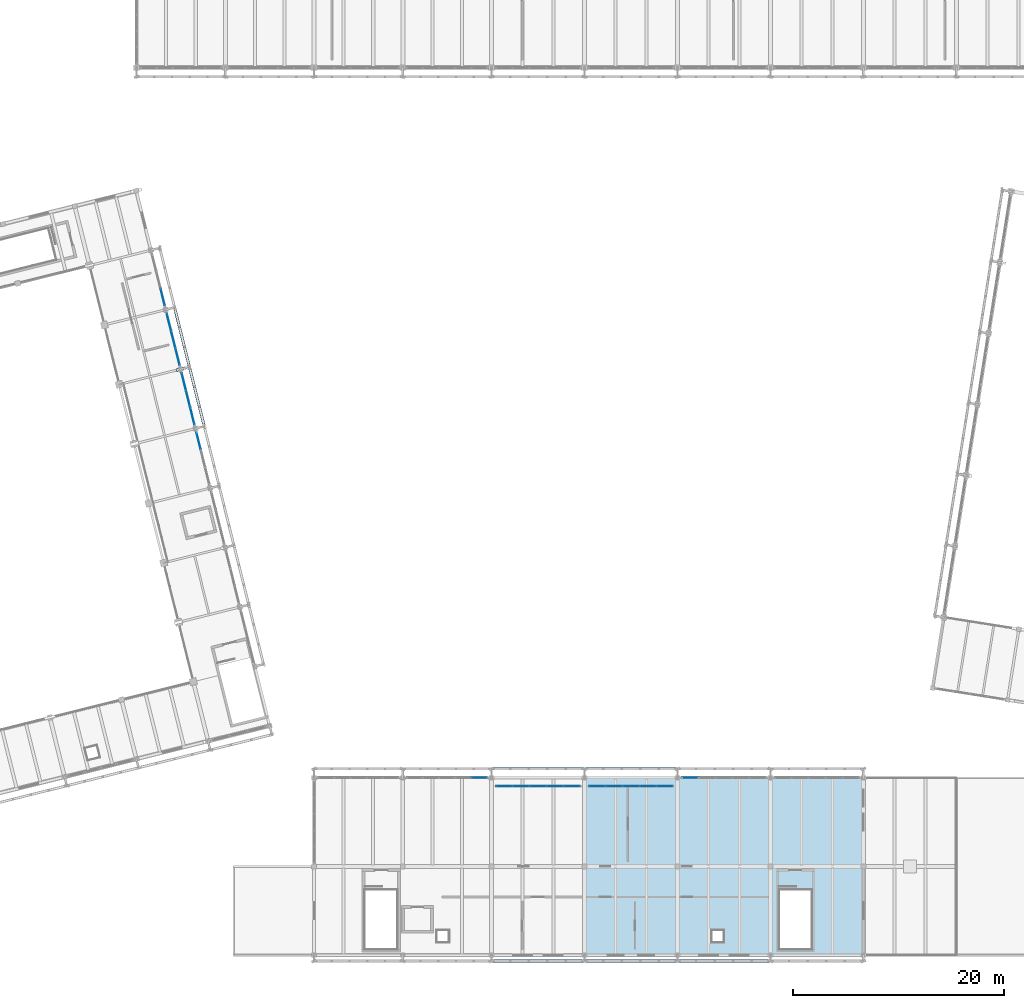
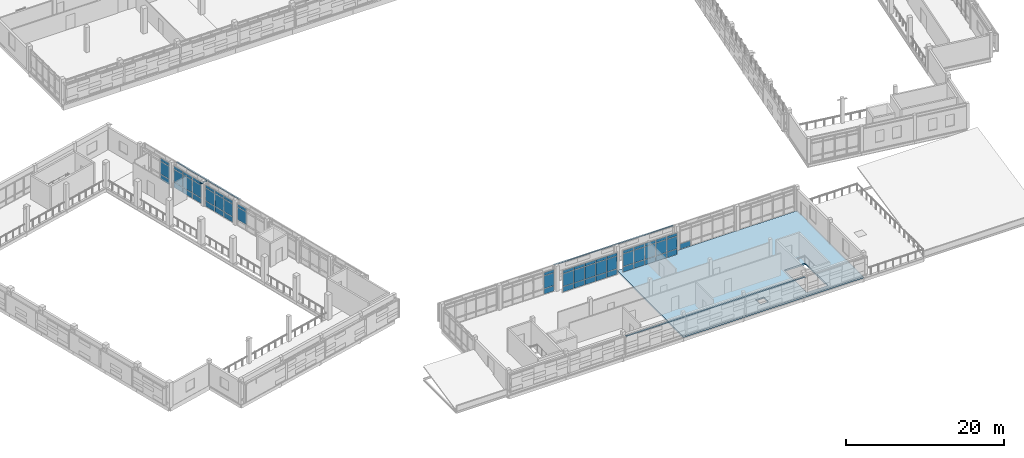
# One storey, part 84 of 117: 65 plates, 1 slab, 8 elements without a shape of their own.
"""IFC4 building model written with IfcOpenShell, lengths in metres."""

from ifc_helpers import new_model, si_unit, direction, frame, origin, origin_2d, place, context, subcontext, project, spatial, polyline, rectangle, outline, extrude, material, layer, layer_set, type_object, element, aggregate, save


model = new_model("IFC4")

# Units and contexts
model_context = context("Model", 3, precision=1e-05, world=origin(), true_north=direction((0.0, 1.0)))
body_context = subcontext(model_context, "Body", "Model", "MODEL_VIEW")
ifc_project = project(units=[si_unit("LENGTHUNIT", "METRE"), si_unit("AREAUNIT", "SQUARE_METRE"), si_unit("VOLUMEUNIT", "CUBIC_METRE"), si_unit("PLANEANGLEUNIT", "RADIAN"), si_unit("MASSUNIT", "GRAM", prefix="KILO")], contexts=[model_context])

# Site, building, storey
site_placement = place(None, origin())
site = spatial("IfcSite", under=ifc_project, at=site_placement, CompositionType="ELEMENT")
building_placement = place(site_placement, origin())
building = spatial("IfcBuilding", under=site, at=building_placement, Name="Cinderway Yard Community Centre", CompositionType="ELEMENT")
storey_placement = place(building_placement, frame((0.0, 0.0, 9.0)))
storey = spatial("IfcBuildingStorey", under=building, at=storey_placement, Name="L02", CompositionType="ELEMENT", Elevation=9.0)

# Curtain wall, plates
ifc_material_1 = material(Name="Aluminium 6063-T6", Category="aluminium")
curtain_wall_type_1 = type_object("IfcCurtainWallType", Name="ENV-CW-TYPE-29", PredefinedType="USERDEFINED", material=ifc_material_1)
curtain_wall_1_placement = place(storey_placement, origin())
curtain_wall_1 = element("IfcCurtainWall", 1, at=curtain_wall_1_placement, inside=storey, type_object=curtain_wall_type_1, Name="Dining Courtyard Curtain Wall ENV-CW-L02-ST-0102", ObjectType="GLAZED CURTAIN WALL", PredefinedType="USERDEFINED")
ifc_material_2 = material(Name="Laminated Low-E Glass", Category="glass")
ifc_layer_1 = layer(ifc_material_2, 0.028076171875, Name="Laminated Low-E Glass")
ifc_layer_set_1 = layer_set([ifc_layer_1], Name="Laminated Low-E Glass")
plate_type_1 = type_object("IfcPlateType", Name="ENV-CW-PAN-IGU28", PredefinedType="CURTAIN_PANEL", material=ifc_layer_set_1)
plate_1_placement = place(storey_placement, frame((74.041015625, 22.800048828125, 0.06005859375), z_axis=(0.0, 0.0, 1.0), x_axis=(1.0, 0.0, 0.0)))
plate_1 = element("IfcPlate", 2, at=plate_1_placement, type_object=plate_type_1, Name="CW-29 panel 5.1", PredefinedType="CURTAIN_PANEL", context=body_context, shape_type="SweptSolid", body=[
    extrude(rectangle(XDim=1.43798828125, YDim=0.028076171875, at=origin_2d()), origin(), (0.0, 0.0, 1.0), 0.81005859375),
])
plate_2_placement = place(storey_placement, frame((74.041015625, 22.800048828125, 0.929931640625), z_axis=(0.0, 0.0, 1.0), x_axis=(1.0, 0.0, 0.0)))
plate_2 = element("IfcPlate", 3, at=plate_2_placement, type_object=plate_type_1, Name="CW-29 panel 5.2", PredefinedType="CURTAIN_PANEL", context=body_context, shape_type="SweptSolid", body=[
    extrude(rectangle(XDim=1.43798828125, YDim=0.028076171875, at=origin_2d()), origin(), (0.0, 0.0, 1.0), 1.93994140625),
])
plate_3_placement = place(storey_placement, frame((74.041015625, 22.800048828125, 2.929931640625), z_axis=(0.0, 0.0, 1.0), x_axis=(1.0, 0.0, 0.0)))
plate_3 = element("IfcPlate", 4, at=plate_3_placement, type_object=plate_type_1, Name="CW-29 panel 5.3", PredefinedType="CURTAIN_PANEL", context=body_context, shape_type="SweptSolid", body=[
    extrude(rectangle(XDim=1.43798828125, YDim=0.028076171875, at=origin_2d()), origin(), (0.0, 0.0, 1.0), 0.4599609375),
])
aggregate(curtain_wall_1, [plate_1, plate_2, plate_3])

curtain_wall_type_2 = type_object("IfcCurtainWallType", Name="ENV-CW-TYPE-30", PredefinedType="USERDEFINED", material=ifc_material_1)
curtain_wall_2_placement = place(storey_placement, origin())
curtain_wall_2 = element("IfcCurtainWall", 5, at=curtain_wall_2_placement, inside=storey, type_object=curtain_wall_type_2, Name="Dining Courtyard Curtain Wall ENV-CW-L02-ST-0103", ObjectType="GLAZED CURTAIN WALL", PredefinedType="USERDEFINED")
plate_4_placement = place(storey_placement, frame((76.39892578125, 22.0, 0.06005859375), z_axis=(0.0, 0.0, 1.0), x_axis=(1.0, 0.0, 0.0)))
plate_4 = element("IfcPlate", 6, at=plate_4_placement, type_object=plate_type_1, Name="CW-30 panel 1.1", PredefinedType="CURTAIN_PANEL", context=body_context, shape_type="SweptSolid", body=[
    extrude(rectangle(XDim=1.51806640625, YDim=0.028076171875, at=origin_2d()), origin(), (0.0, 0.0, 1.0), 0.81005859375),
])
plate_5_placement = place(storey_placement, frame((76.39892578125, 22.0, 0.929931640625), z_axis=(0.0, 0.0, 1.0), x_axis=(1.0, 0.0, 0.0)))
plate_5 = element("IfcPlate", 7, at=plate_5_placement, type_object=plate_type_1, Name="CW-30 panel 1.2", PredefinedType="CURTAIN_PANEL", context=body_context, shape_type="SweptSolid", body=[
    extrude(rectangle(XDim=1.51806640625, YDim=0.028076171875, at=origin_2d()), origin(), (0.0, 0.0, 1.0), 1.93994140625),
])
plate_6_placement = place(storey_placement, frame((76.39892578125, 22.0, 2.929931640625), z_axis=(0.0, 0.0, 1.0), x_axis=(1.0, 0.0, 0.0)))
plate_6 = element("IfcPlate", 8, at=plate_6_placement, type_object=plate_type_1, Name="CW-30 panel 1.3", PredefinedType="CURTAIN_PANEL", context=body_context, shape_type="SweptSolid", body=[
    extrude(rectangle(XDim=1.51806640625, YDim=0.028076171875, at=origin_2d()), origin(), (0.0, 0.0, 1.0), 0.4599609375),
])
plate_7_placement = place(storey_placement, frame((77.991943359375, 22.0, 0.06005859375), z_axis=(0.0, 0.0, 1.0), x_axis=(1.0, 0.0, 0.0)))
plate_7 = element("IfcPlate", 9, at=plate_7_placement, type_object=plate_type_1, Name="CW-30 panel 2.1", PredefinedType="CURTAIN_PANEL", context=body_context, shape_type="SweptSolid", body=[
    extrude(rectangle(XDim=1.548095703125, YDim=0.028076171875, at=origin_2d()), origin(), (0.0, 0.0, 1.0), 0.81005859375),
])
plate_8_placement = place(storey_placement, frame((77.991943359375, 22.0, 0.929931640625), z_axis=(0.0, 0.0, 1.0), x_axis=(1.0, 0.0, 0.0)))
plate_8 = element("IfcPlate", 10, at=plate_8_placement, type_object=plate_type_1, Name="CW-30 panel 2.2", PredefinedType="CURTAIN_PANEL", context=body_context, shape_type="SweptSolid", body=[
    extrude(rectangle(XDim=1.548095703125, YDim=0.028076171875, at=origin_2d()), origin(), (0.0, 0.0, 1.0), 1.93994140625),
])
plate_9_placement = place(storey_placement, frame((77.991943359375, 22.0, 2.929931640625), z_axis=(0.0, 0.0, 1.0), x_axis=(1.0, 0.0, 0.0)))
plate_9 = element("IfcPlate", 11, at=plate_9_placement, type_object=plate_type_1, Name="CW-30 panel 2.3", PredefinedType="CURTAIN_PANEL", context=body_context, shape_type="SweptSolid", body=[
    extrude(rectangle(XDim=1.548095703125, YDim=0.028076171875, at=origin_2d()), origin(), (0.0, 0.0, 1.0), 0.4599609375),
])
plate_10_placement = place(storey_placement, frame((79.60009765625, 22.0, 0.06005859375), z_axis=(0.0, 0.0, 1.0), x_axis=(1.0, 0.0, 0.0)))
plate_10 = element("IfcPlate", 12, at=plate_10_placement, type_object=plate_type_1, Name="CW-30 panel 3.1", PredefinedType="CURTAIN_PANEL", context=body_context, shape_type="SweptSolid", body=[
    extrude(rectangle(XDim=1.548095703125, YDim=0.028076171875, at=origin_2d()), origin(), (0.0, 0.0, 1.0), 0.81005859375),
])
plate_11_placement = place(storey_placement, frame((79.60009765625, 22.0, 0.929931640625), z_axis=(0.0, 0.0, 1.0), x_axis=(1.0, 0.0, 0.0)))
plate_11 = element("IfcPlate", 13, at=plate_11_placement, type_object=plate_type_1, Name="CW-30 panel 3.2", PredefinedType="CURTAIN_PANEL", context=body_context, shape_type="SweptSolid", body=[
    extrude(rectangle(XDim=1.548095703125, YDim=0.028076171875, at=origin_2d()), origin(), (0.0, 0.0, 1.0), 1.93994140625),
])
plate_12_placement = place(storey_placement, frame((79.60009765625, 22.0, 2.929931640625), z_axis=(0.0, 0.0, 1.0), x_axis=(1.0, 0.0, 0.0)))
plate_12 = element("IfcPlate", 14, at=plate_12_placement, type_object=plate_type_1, Name="CW-30 panel 3.3", PredefinedType="CURTAIN_PANEL", context=body_context, shape_type="SweptSolid", body=[
    extrude(rectangle(XDim=1.548095703125, YDim=0.028076171875, at=origin_2d()), origin(), (0.0, 0.0, 1.0), 0.4599609375),
])
plate_13_placement = place(storey_placement, frame((81.2080078125, 22.0, 0.06005859375), z_axis=(0.0, 0.0, 1.0), x_axis=(1.0, 0.0, 0.0)))
plate_13 = element("IfcPlate", 15, at=plate_13_placement, type_object=plate_type_1, Name="CW-30 panel 4.1", PredefinedType="CURTAIN_PANEL", context=body_context, shape_type="SweptSolid", body=[
    extrude(rectangle(XDim=1.548095703125, YDim=0.028076171875, at=origin_2d()), origin(), (0.0, 0.0, 1.0), 0.81005859375),
])
plate_14_placement = place(storey_placement, frame((81.2080078125, 22.0, 0.929931640625), z_axis=(0.0, 0.0, 1.0), x_axis=(1.0, 0.0, 0.0)))
plate_14 = element("IfcPlate", 16, at=plate_14_placement, type_object=plate_type_1, Name="CW-30 panel 4.2", PredefinedType="CURTAIN_PANEL", context=body_context, shape_type="SweptSolid", body=[
    extrude(rectangle(XDim=1.548095703125, YDim=0.028076171875, at=origin_2d()), origin(), (0.0, 0.0, 1.0), 1.93994140625),
])
plate_15_placement = place(storey_placement, frame((81.2080078125, 22.0, 2.929931640625), z_axis=(0.0, 0.0, 1.0), x_axis=(1.0, 0.0, 0.0)))
plate_15 = element("IfcPlate", 17, at=plate_15_placement, type_object=plate_type_1, Name="CW-30 panel 4.3", PredefinedType="CURTAIN_PANEL", context=body_context, shape_type="SweptSolid", body=[
    extrude(rectangle(XDim=1.548095703125, YDim=0.028076171875, at=origin_2d()), origin(), (0.0, 0.0, 1.0), 0.4599609375),
])
plate_16_placement = place(storey_placement, frame((82.801025390625, 22.0, 0.06005859375), z_axis=(0.0, 0.0, 1.0), x_axis=(1.0, 0.0, 0.0)))
plate_16 = element("IfcPlate", 18, at=plate_16_placement, type_object=plate_type_1, Name="CW-30 panel 5.1", PredefinedType="CURTAIN_PANEL", context=body_context, shape_type="SweptSolid", body=[
    extrude(rectangle(XDim=1.51806640625, YDim=0.028076171875, at=origin_2d()), origin(), (0.0, 0.0, 1.0), 0.81005859375),
])
plate_17_placement = place(storey_placement, frame((82.801025390625, 22.0, 0.929931640625), z_axis=(0.0, 0.0, 1.0), x_axis=(1.0, 0.0, 0.0)))
plate_17 = element("IfcPlate", 19, at=plate_17_placement, type_object=plate_type_1, Name="CW-30 panel 5.2", PredefinedType="CURTAIN_PANEL", context=body_context, shape_type="SweptSolid", body=[
    extrude(rectangle(XDim=1.51806640625, YDim=0.028076171875, at=origin_2d()), origin(), (0.0, 0.0, 1.0), 1.93994140625),
])
plate_18_placement = place(storey_placement, frame((82.801025390625, 22.0, 2.929931640625), z_axis=(0.0, 0.0, 1.0), x_axis=(1.0, 0.0, 0.0)))
plate_18 = element("IfcPlate", 20, at=plate_18_placement, type_object=plate_type_1, Name="CW-30 panel 5.3", PredefinedType="CURTAIN_PANEL", context=body_context, shape_type="SweptSolid", body=[
    extrude(rectangle(XDim=1.51806640625, YDim=0.028076171875, at=origin_2d()), origin(), (0.0, 0.0, 1.0), 0.4599609375),
])
aggregate(curtain_wall_2, [plate_4, plate_5, plate_6, plate_7, plate_8, plate_9, plate_10, plate_11, plate_12, plate_13, plate_14, plate_15, plate_16, plate_17, plate_18])

curtain_wall_3_placement = place(storey_placement, origin())
curtain_wall_3 = element("IfcCurtainWall", 21, at=curtain_wall_3_placement, inside=storey, type_object=curtain_wall_type_2, Name="Dining Courtyard Curtain Wall ENV-CW-L02-ST-0104", ObjectType="GLAZED CURTAIN WALL", PredefinedType="USERDEFINED")
plate_19_placement = place(storey_placement, frame((85.198974609375, 22.0, 0.06005859375), z_axis=(0.0, 0.0, 1.0), x_axis=(1.0, 0.0, 0.0)))
plate_19 = element("IfcPlate", 22, at=plate_19_placement, type_object=plate_type_1, Name="CW-30 panel 1.1", PredefinedType="CURTAIN_PANEL", context=body_context, shape_type="SweptSolid", body=[
    extrude(rectangle(XDim=1.51806640625, YDim=0.028076171875, at=origin_2d()), origin(), (0.0, 0.0, 1.0), 0.81005859375),
])
plate_20_placement = place(storey_placement, frame((85.198974609375, 22.0, 0.929931640625), z_axis=(0.0, 0.0, 1.0), x_axis=(1.0, 0.0, 0.0)))
plate_20 = element("IfcPlate", 23, at=plate_20_placement, type_object=plate_type_1, Name="CW-30 panel 1.2", PredefinedType="CURTAIN_PANEL", context=body_context, shape_type="SweptSolid", body=[
    extrude(rectangle(XDim=1.51806640625, YDim=0.028076171875, at=origin_2d()), origin(), (0.0, 0.0, 1.0), 1.93994140625),
])
plate_21_placement = place(storey_placement, frame((85.198974609375, 22.0, 2.929931640625), z_axis=(0.0, 0.0, 1.0), x_axis=(1.0, 0.0, 0.0)))
plate_21 = element("IfcPlate", 24, at=plate_21_placement, type_object=plate_type_1, Name="CW-30 panel 1.3", PredefinedType="CURTAIN_PANEL", context=body_context, shape_type="SweptSolid", body=[
    extrude(rectangle(XDim=1.51806640625, YDim=0.028076171875, at=origin_2d()), origin(), (0.0, 0.0, 1.0), 0.4599609375),
])
plate_22_placement = place(storey_placement, frame((86.7919921875, 22.0, 0.06005859375), z_axis=(0.0, 0.0, 1.0), x_axis=(1.0, 0.0, 0.0)))
plate_22 = element("IfcPlate", 25, at=plate_22_placement, type_object=plate_type_1, Name="CW-30 panel 2.1", PredefinedType="CURTAIN_PANEL", context=body_context, shape_type="SweptSolid", body=[
    extrude(rectangle(XDim=1.548095703125, YDim=0.028076171875, at=origin_2d()), origin(), (0.0, 0.0, 1.0), 0.81005859375),
])
plate_23_placement = place(storey_placement, frame((86.7919921875, 22.0, 0.929931640625), z_axis=(0.0, 0.0, 1.0), x_axis=(1.0, 0.0, 0.0)))
plate_23 = element("IfcPlate", 26, at=plate_23_placement, type_object=plate_type_1, Name="CW-30 panel 2.2", PredefinedType="CURTAIN_PANEL", context=body_context, shape_type="SweptSolid", body=[
    extrude(rectangle(XDim=1.548095703125, YDim=0.028076171875, at=origin_2d()), origin(), (0.0, 0.0, 1.0), 1.93994140625),
])
plate_24_placement = place(storey_placement, frame((86.7919921875, 22.0, 2.929931640625), z_axis=(0.0, 0.0, 1.0), x_axis=(1.0, 0.0, 0.0)))
plate_24 = element("IfcPlate", 27, at=plate_24_placement, type_object=plate_type_1, Name="CW-30 panel 2.3", PredefinedType="CURTAIN_PANEL", context=body_context, shape_type="SweptSolid", body=[
    extrude(rectangle(XDim=1.548095703125, YDim=0.028076171875, at=origin_2d()), origin(), (0.0, 0.0, 1.0), 0.4599609375),
])
plate_25_placement = place(storey_placement, frame((88.39990234375, 22.0, 0.06005859375), z_axis=(0.0, 0.0, 1.0), x_axis=(1.0, 0.0, 0.0)))
plate_25 = element("IfcPlate", 28, at=plate_25_placement, type_object=plate_type_1, Name="CW-30 panel 3.1", PredefinedType="CURTAIN_PANEL", context=body_context, shape_type="SweptSolid", body=[
    extrude(rectangle(XDim=1.548095703125, YDim=0.028076171875, at=origin_2d()), origin(), (0.0, 0.0, 1.0), 0.81005859375),
])
plate_26_placement = place(storey_placement, frame((88.39990234375, 22.0, 0.929931640625), z_axis=(0.0, 0.0, 1.0), x_axis=(1.0, 0.0, 0.0)))
plate_26 = element("IfcPlate", 29, at=plate_26_placement, type_object=plate_type_1, Name="CW-30 panel 3.2", PredefinedType="CURTAIN_PANEL", context=body_context, shape_type="SweptSolid", body=[
    extrude(rectangle(XDim=1.548095703125, YDim=0.028076171875, at=origin_2d()), origin(), (0.0, 0.0, 1.0), 1.93994140625),
])
plate_27_placement = place(storey_placement, frame((88.39990234375, 22.0, 2.929931640625), z_axis=(0.0, 0.0, 1.0), x_axis=(1.0, 0.0, 0.0)))
plate_27 = element("IfcPlate", 30, at=plate_27_placement, type_object=plate_type_1, Name="CW-30 panel 3.3", PredefinedType="CURTAIN_PANEL", context=body_context, shape_type="SweptSolid", body=[
    extrude(rectangle(XDim=1.548095703125, YDim=0.028076171875, at=origin_2d()), origin(), (0.0, 0.0, 1.0), 0.4599609375),
])
plate_28_placement = place(storey_placement, frame((90.008056640625, 22.0, 0.06005859375), z_axis=(0.0, 0.0, 1.0), x_axis=(1.0, 0.0, 0.0)))
plate_28 = element("IfcPlate", 31, at=plate_28_placement, type_object=plate_type_1, Name="CW-30 panel 4.1", PredefinedType="CURTAIN_PANEL", context=body_context, shape_type="SweptSolid", body=[
    extrude(rectangle(XDim=1.548095703125, YDim=0.028076171875, at=origin_2d()), origin(), (0.0, 0.0, 1.0), 0.81005859375),
])
plate_29_placement = place(storey_placement, frame((90.008056640625, 22.0, 0.929931640625), z_axis=(0.0, 0.0, 1.0), x_axis=(1.0, 0.0, 0.0)))
plate_29 = element("IfcPlate", 32, at=plate_29_placement, type_object=plate_type_1, Name="CW-30 panel 4.2", PredefinedType="CURTAIN_PANEL", context=body_context, shape_type="SweptSolid", body=[
    extrude(rectangle(XDim=1.548095703125, YDim=0.028076171875, at=origin_2d()), origin(), (0.0, 0.0, 1.0), 1.93994140625),
])
plate_30_placement = place(storey_placement, frame((90.008056640625, 22.0, 2.929931640625), z_axis=(0.0, 0.0, 1.0), x_axis=(1.0, 0.0, 0.0)))
plate_30 = element("IfcPlate", 33, at=plate_30_placement, type_object=plate_type_1, Name="CW-30 panel 4.3", PredefinedType="CURTAIN_PANEL", context=body_context, shape_type="SweptSolid", body=[
    extrude(rectangle(XDim=1.548095703125, YDim=0.028076171875, at=origin_2d()), origin(), (0.0, 0.0, 1.0), 0.4599609375),
])
plate_31_placement = place(storey_placement, frame((91.60107421875, 22.0, 0.06005859375), z_axis=(0.0, 0.0, 1.0), x_axis=(1.0, 0.0, 0.0)))
plate_31 = element("IfcPlate", 34, at=plate_31_placement, type_object=plate_type_1, Name="CW-30 panel 5.1", PredefinedType="CURTAIN_PANEL", context=body_context, shape_type="SweptSolid", body=[
    extrude(rectangle(XDim=1.51806640625, YDim=0.028076171875, at=origin_2d()), origin(), (0.0, 0.0, 1.0), 0.81005859375),
])
plate_32_placement = place(storey_placement, frame((91.60107421875, 22.0, 0.929931640625), z_axis=(0.0, 0.0, 1.0), x_axis=(1.0, 0.0, 0.0)))
plate_32 = element("IfcPlate", 35, at=plate_32_placement, type_object=plate_type_1, Name="CW-30 panel 5.2", PredefinedType="CURTAIN_PANEL", context=body_context, shape_type="SweptSolid", body=[
    extrude(rectangle(XDim=1.51806640625, YDim=0.028076171875, at=origin_2d()), origin(), (0.0, 0.0, 1.0), 1.93994140625),
])
plate_33_placement = place(storey_placement, frame((91.60107421875, 22.0, 2.929931640625), z_axis=(0.0, 0.0, 1.0), x_axis=(1.0, 0.0, 0.0)))
plate_33 = element("IfcPlate", 36, at=plate_33_placement, type_object=plate_type_1, Name="CW-30 panel 5.3", PredefinedType="CURTAIN_PANEL", context=body_context, shape_type="SweptSolid", body=[
    extrude(rectangle(XDim=1.51806640625, YDim=0.028076171875, at=origin_2d()), origin(), (0.0, 0.0, 1.0), 0.4599609375),
])
aggregate(curtain_wall_3, [plate_19, plate_20, plate_21, plate_22, plate_23, plate_24, plate_25, plate_26, plate_27, plate_28, plate_29, plate_30, plate_31, plate_32, plate_33])

# Curtain wall, plate
curtain_wall_4_placement = place(storey_placement, origin())
curtain_wall_4 = element("IfcCurtainWall", 37, at=curtain_wall_4_placement, inside=storey, type_object=curtain_wall_type_2, Name="Dining Courtyard Curtain Wall ENV-CW-L02-ST-0105", ObjectType="GLAZED CURTAIN WALL", PredefinedType="USERDEFINED")
plate_34_placement = place(storey_placement, frame((93.9990234375, 22.800048828125, 0.06005859375), z_axis=(0.0, 0.0, 1.0), x_axis=(1.0, 0.0, 0.0)))
plate_34 = element("IfcPlate", 38, at=plate_34_placement, type_object=plate_type_1, Name="CW-30 panel 1.1", PredefinedType="CURTAIN_PANEL", context=body_context, shape_type="SweptSolid", body=[
    extrude(rectangle(XDim=1.51806640625, YDim=0.028076171875, at=origin_2d()), origin(), (0.0, 0.0, 1.0), 0.81005859375),
])
aggregate(curtain_wall_4, [plate_34])

# Curtain wall, plates
curtain_wall_type_3 = type_object("IfcCurtainWallType", Name="ENV-CW-TYPE-07", PredefinedType="USERDEFINED", material=ifc_material_1)
curtain_wall_5_placement = place(storey_placement, origin())
curtain_wall_5 = element("IfcCurtainWall", 39, at=curtain_wall_5_placement, inside=storey, type_object=curtain_wall_type_3, Name="Main Hall Courtyard Curtain Wall ENV-CW-L02-HS-0023", ObjectType="GLAZED CURTAIN WALL", PredefinedType="USERDEFINED")
ifc_layer_2 = layer(ifc_material_2, 0.031982421875, Name="Laminated Low-E Glass")
ifc_layer_set_2 = layer_set([ifc_layer_2], Name="Laminated Low-E Glass")
plate_type_2 = type_object("IfcPlateType", Name="ENV-CW-PAN-IGU32", PredefinedType="CURTAIN_PANEL", material=ifc_layer_set_2)
plate_35_placement = place(storey_placement, frame((47.482421875, 54.667724609375, 0.929931640625), z_axis=(0.0, 0.0, 1.0), x_axis=(-0.241887234827, 0.97030436752, 0.0)))
plate_35 = element("IfcPlate", 40, at=plate_35_placement, type_object=plate_type_2, Name="CW-07 panel 3.2", PredefinedType="CURTAIN_PANEL", context=body_context, shape_type="SweptSolid", body=[
    extrude(rectangle(XDim=1.603515625, YDim=0.028076171875, at=origin_2d()), origin(), (0.0, 0.0, 1.0), 1.93994140625),
])
plate_36_placement = place(storey_placement, frame((47.482421875, 54.667724609375, 2.929931640625), z_axis=(0.0, 0.0, 1.0), x_axis=(-0.241887234827, 0.97030436752, 0.0)))
plate_36 = element("IfcPlate", 41, at=plate_36_placement, type_object=plate_type_2, Name="CW-07 panel 3.3", PredefinedType="CURTAIN_PANEL", context=body_context, shape_type="SweptSolid", body=[
    extrude(rectangle(XDim=1.603515625, YDim=0.028076171875, at=origin_2d()), origin(), (0.0, 0.0, 1.0), 0.4599609375),
])
aggregate(curtain_wall_5, [plate_35, plate_36])

curtain_wall_6_placement = place(storey_placement, origin())
curtain_wall_6 = element("IfcCurtainWall", 42, at=curtain_wall_6_placement, inside=storey, type_object=curtain_wall_type_3, Name="Main Hall Courtyard Curtain Wall ENV-CW-L02-HS-0024", ObjectType="GLAZED CURTAIN WALL", PredefinedType="USERDEFINED")
plate_37_placement = place(storey_placement, frame((46.8916015625, 57.038330078125, 0.06005859375), z_axis=(0.0, 0.0, 1.0), x_axis=(-0.241887234827, 0.97030436752, 0.0)))
plate_37 = element("IfcPlate", 43, at=plate_37_placement, type_object=plate_type_2, Name="CW-07 panel 1.1", PredefinedType="CURTAIN_PANEL", context=body_context, shape_type="SweptSolid", body=[
    extrude(rectangle(XDim=1.603515625, YDim=0.028076171875, at=origin_2d()), origin(), (0.0, 0.0, 1.0), 0.81005859375),
])
plate_38_placement = place(storey_placement, frame((46.8916015625, 57.038330078125, 0.929931640625), z_axis=(0.0, 0.0, 1.0), x_axis=(-0.241887234827, 0.97030436752, 0.0)))
plate_38 = element("IfcPlate", 44, at=plate_38_placement, type_object=plate_type_2, Name="CW-07 panel 1.2", PredefinedType="CURTAIN_PANEL", context=body_context, shape_type="SweptSolid", body=[
    extrude(rectangle(XDim=1.603515625, YDim=0.028076171875, at=origin_2d()), origin(), (0.0, 0.0, 1.0), 1.93994140625),
])
plate_39_placement = place(storey_placement, frame((46.8916015625, 57.038330078125, 2.929931640625), z_axis=(0.0, 0.0, 1.0), x_axis=(-0.241887234827, 0.97030436752, 0.0)))
plate_39 = element("IfcPlate", 45, at=plate_39_placement, type_object=plate_type_2, Name="CW-07 panel 1.3", PredefinedType="CURTAIN_PANEL", context=body_context, shape_type="SweptSolid", body=[
    extrude(rectangle(XDim=1.603515625, YDim=0.028076171875, at=origin_2d()), origin(), (0.0, 0.0, 1.0), 0.4599609375),
])
plate_40_placement = place(storey_placement, frame((46.485595703125, 58.6669921875, 0.06005859375), z_axis=(0.0, 0.0, 1.0), x_axis=(-0.241887234827, 0.97030436752, 0.0)))
plate_40 = element("IfcPlate", 46, at=plate_40_placement, type_object=plate_type_2, Name="CW-07 panel 2.1", PredefinedType="CURTAIN_PANEL", context=body_context, shape_type="SweptSolid", body=[
    extrude(rectangle(XDim=1.633544921875, YDim=0.028076171875, at=origin_2d()), origin(), (0.0, 0.0, 1.0), 0.81005859375),
])
plate_41_placement = place(storey_placement, frame((46.485595703125, 58.6669921875, 0.929931640625), z_axis=(0.0, 0.0, 1.0), x_axis=(-0.241887234827, 0.97030436752, 0.0)))
plate_41 = element("IfcPlate", 47, at=plate_41_placement, type_object=plate_type_2, Name="CW-07 panel 2.2", PredefinedType="CURTAIN_PANEL", context=body_context, shape_type="SweptSolid", body=[
    extrude(rectangle(XDim=1.633544921875, YDim=0.028076171875, at=origin_2d()), origin(), (0.0, 0.0, 1.0), 1.93994140625),
])
plate_42_placement = place(storey_placement, frame((46.485595703125, 58.6669921875, 2.929931640625), z_axis=(0.0, 0.0, 1.0), x_axis=(-0.241887234827, 0.97030436752, 0.0)))
plate_42 = element("IfcPlate", 48, at=plate_42_placement, type_object=plate_type_2, Name="CW-07 panel 2.3", PredefinedType="CURTAIN_PANEL", context=body_context, shape_type="SweptSolid", body=[
    extrude(rectangle(XDim=1.633544921875, YDim=0.028076171875, at=origin_2d()), origin(), (0.0, 0.0, 1.0), 0.4599609375),
])
plate_43_placement = place(storey_placement, frame((46.079345703125, 60.2958984375, 0.06005859375), z_axis=(0.0, 0.0, 1.0), x_axis=(-0.241887234827, 0.97030436752, 0.0)))
plate_43 = element("IfcPlate", 49, at=plate_43_placement, type_object=plate_type_2, Name="CW-07 panel 3.1", PredefinedType="CURTAIN_PANEL", context=body_context, shape_type="SweptSolid", body=[
    extrude(rectangle(XDim=1.603515625, YDim=0.028076171875, at=origin_2d()), origin(), (0.0, 0.0, 1.0), 0.81005859375),
])
plate_44_placement = place(storey_placement, frame((46.079345703125, 60.2958984375, 0.929931640625), z_axis=(0.0, 0.0, 1.0), x_axis=(-0.241887234827, 0.97030436752, 0.0)))
plate_44 = element("IfcPlate", 50, at=plate_44_placement, type_object=plate_type_2, Name="CW-07 panel 3.2", PredefinedType="CURTAIN_PANEL", context=body_context, shape_type="SweptSolid", body=[
    extrude(rectangle(XDim=1.603515625, YDim=0.028076171875, at=origin_2d()), origin(), (0.0, 0.0, 1.0), 1.93994140625),
])
plate_45_placement = place(storey_placement, frame((46.079345703125, 60.2958984375, 2.929931640625), z_axis=(0.0, 0.0, 1.0), x_axis=(-0.241887234827, 0.97030436752, 0.0)))
plate_45 = element("IfcPlate", 51, at=plate_45_placement, type_object=plate_type_2, Name="CW-07 panel 3.3", PredefinedType="CURTAIN_PANEL", context=body_context, shape_type="SweptSolid", body=[
    extrude(rectangle(XDim=1.603515625, YDim=0.028076171875, at=origin_2d()), origin(), (0.0, 0.0, 1.0), 0.4599609375),
])
aggregate(curtain_wall_6, [plate_37, plate_38, plate_39, plate_40, plate_41, plate_42, plate_43, plate_44, plate_45])

curtain_wall_7_placement = place(storey_placement, origin())
curtain_wall_7 = element("IfcCurtainWall", 52, at=curtain_wall_7_placement, inside=storey, type_object=curtain_wall_type_3, Name="Main Hall Courtyard Curtain Wall ENV-CW-L02-HS-0025", ObjectType="GLAZED CURTAIN WALL", PredefinedType="USERDEFINED")
plate_46_placement = place(storey_placement, frame((45.488525390625, 62.666015625, 0.06005859375), z_axis=(0.0, 0.0, 1.0), x_axis=(-0.241933436991, 0.970292848611, 0.0)))
plate_46 = element("IfcPlate", 53, at=plate_46_placement, type_object=plate_type_2, Name="CW-07 panel 1.1", PredefinedType="CURTAIN_PANEL", context=body_context, shape_type="SweptSolid", body=[
    extrude(rectangle(XDim=1.603271484375, YDim=0.028076171875, at=origin_2d()), origin(), (0.0, 0.0, 1.0), 0.81005859375),
])
plate_47_placement = place(storey_placement, frame((45.488525390625, 62.666015625, 0.929931640625), z_axis=(0.0, 0.0, 1.0), x_axis=(-0.241933436991, 0.970292848611, 0.0)))
plate_47 = element("IfcPlate", 54, at=plate_47_placement, type_object=plate_type_2, Name="CW-07 panel 1.2", PredefinedType="CURTAIN_PANEL", context=body_context, shape_type="SweptSolid", body=[
    extrude(rectangle(XDim=1.603271484375, YDim=0.028076171875, at=origin_2d()), origin(), (0.0, 0.0, 1.0), 1.93994140625),
])
plate_48_placement = place(storey_placement, frame((45.488525390625, 62.666015625, 2.929931640625), z_axis=(0.0, 0.0, 1.0), x_axis=(-0.241933436991, 0.970292848611, 0.0)))
plate_48 = element("IfcPlate", 55, at=plate_48_placement, type_object=plate_type_2, Name="CW-07 panel 1.3", PredefinedType="CURTAIN_PANEL", context=body_context, shape_type="SweptSolid", body=[
    extrude(rectangle(XDim=1.603271484375, YDim=0.028076171875, at=origin_2d()), origin(), (0.0, 0.0, 1.0), 0.4599609375),
])
plate_49_placement = place(storey_placement, frame((45.08251953125, 64.29443359375, 0.06005859375), z_axis=(0.0, 0.0, 1.0), x_axis=(-0.241933436991, 0.970292848611, 0.0)))
plate_49 = element("IfcPlate", 56, at=plate_49_placement, type_object=plate_type_2, Name="CW-07 panel 2.1", PredefinedType="CURTAIN_PANEL", context=body_context, shape_type="SweptSolid", body=[
    extrude(rectangle(XDim=1.63330078125, YDim=0.028076171875, at=origin_2d()), origin(), (0.0, 0.0, 1.0), 0.81005859375),
])
plate_50_placement = place(storey_placement, frame((45.08251953125, 64.29443359375, 0.929931640625), z_axis=(0.0, 0.0, 1.0), x_axis=(-0.241933436991, 0.970292848611, 0.0)))
plate_50 = element("IfcPlate", 57, at=plate_50_placement, type_object=plate_type_2, Name="CW-07 panel 2.2", PredefinedType="CURTAIN_PANEL", context=body_context, shape_type="SweptSolid", body=[
    extrude(rectangle(XDim=1.63330078125, YDim=0.028076171875, at=origin_2d()), origin(), (0.0, 0.0, 1.0), 1.93994140625),
])
plate_51_placement = place(storey_placement, frame((45.08251953125, 64.29443359375, 2.929931640625), z_axis=(0.0, 0.0, 1.0), x_axis=(-0.241933436991, 0.970292848611, 0.0)))
plate_51 = element("IfcPlate", 58, at=plate_51_placement, type_object=plate_type_2, Name="CW-07 panel 2.3", PredefinedType="CURTAIN_PANEL", context=body_context, shape_type="SweptSolid", body=[
    extrude(rectangle(XDim=1.63330078125, YDim=0.028076171875, at=origin_2d()), origin(), (0.0, 0.0, 1.0), 0.4599609375),
])
plate_52_placement = place(storey_placement, frame((44.676513671875, 65.9228515625, 0.06005859375), z_axis=(0.0, 0.0, 1.0), x_axis=(-0.241933436991, 0.970292848611, 0.0)))
plate_52 = element("IfcPlate", 59, at=plate_52_placement, type_object=plate_type_2, Name="CW-07 panel 3.1", PredefinedType="CURTAIN_PANEL", context=body_context, shape_type="SweptSolid", body=[
    extrude(rectangle(XDim=1.603271484375, YDim=0.028076171875, at=origin_2d()), origin(), (0.0, 0.0, 1.0), 0.81005859375),
])
plate_53_placement = place(storey_placement, frame((44.676513671875, 65.9228515625, 0.929931640625), z_axis=(0.0, 0.0, 1.0), x_axis=(-0.241933436991, 0.970292848611, 0.0)))
plate_53 = element("IfcPlate", 60, at=plate_53_placement, type_object=plate_type_2, Name="CW-07 panel 3.2", PredefinedType="CURTAIN_PANEL", context=body_context, shape_type="SweptSolid", body=[
    extrude(rectangle(XDim=1.603271484375, YDim=0.028076171875, at=origin_2d()), origin(), (0.0, 0.0, 1.0), 1.93994140625),
])
plate_54_placement = place(storey_placement, frame((44.676513671875, 65.9228515625, 2.929931640625), z_axis=(0.0, 0.0, 1.0), x_axis=(-0.241933436991, 0.970292848611, 0.0)))
plate_54 = element("IfcPlate", 61, at=plate_54_placement, type_object=plate_type_2, Name="CW-07 panel 3.3", PredefinedType="CURTAIN_PANEL", context=body_context, shape_type="SweptSolid", body=[
    extrude(rectangle(XDim=1.603271484375, YDim=0.028076171875, at=origin_2d()), origin(), (0.0, 0.0, 1.0), 0.4599609375),
])
aggregate(curtain_wall_7, [plate_46, plate_47, plate_48, plate_49, plate_50, plate_51, plate_52, plate_53, plate_54])

curtain_wall_8_placement = place(storey_placement, origin())
curtain_wall_8 = element("IfcCurtainWall", 62, at=curtain_wall_8_placement, inside=storey, type_object=curtain_wall_type_3, Name="Main Hall Courtyard Curtain Wall ENV-CW-L02-HS-0026", ObjectType="GLAZED CURTAIN WALL", PredefinedType="USERDEFINED")
plate_55_placement = place(storey_placement, frame((44.08544921875, 68.293212890625, 0.06005859375), z_axis=(0.0, 0.0, 1.0), x_axis=(-0.242072522276, 0.970258158409, 0.0)))
plate_55 = element("IfcPlate", 63, at=plate_55_placement, type_object=plate_type_2, Name="CW-07 panel 1.1", PredefinedType="CURTAIN_PANEL", context=body_context, shape_type="SweptSolid", body=[
    extrude(rectangle(XDim=1.603759765625, YDim=0.028076171875, at=origin_2d()), origin(), (0.0, 0.0, 1.0), 0.81005859375),
])
plate_56_placement = place(storey_placement, frame((44.08544921875, 68.293212890625, 0.929931640625), z_axis=(0.0, 0.0, 1.0), x_axis=(-0.242072522276, 0.970258158409, 0.0)))
plate_56 = element("IfcPlate", 64, at=plate_56_placement, type_object=plate_type_2, Name="CW-07 panel 1.2", PredefinedType="CURTAIN_PANEL", context=body_context, shape_type="SweptSolid", body=[
    extrude(rectangle(XDim=1.603759765625, YDim=0.028076171875, at=origin_2d()), origin(), (0.0, 0.0, 1.0), 1.93994140625),
])
plate_57_placement = place(storey_placement, frame((44.08544921875, 68.293212890625, 2.929931640625), z_axis=(0.0, 0.0, 1.0), x_axis=(-0.242072522276, 0.970258158409, 0.0)))
plate_57 = element("IfcPlate", 65, at=plate_57_placement, type_object=plate_type_2, Name="CW-07 panel 1.3", PredefinedType="CURTAIN_PANEL", context=body_context, shape_type="SweptSolid", body=[
    extrude(rectangle(XDim=1.603759765625, YDim=0.028076171875, at=origin_2d()), origin(), (0.0, 0.0, 1.0), 0.4599609375),
])
aggregate(curtain_wall_8, [plate_55, plate_56, plate_57])

# Plates
ifc_layer_3 = layer(ifc_material_1, 0.01611328125, Name="Aluminium 6063-T6")
ifc_layer_set_3 = layer_set([ifc_layer_3], Name="Aluminium 6063-T6")
plate_type_3 = type_object("IfcPlateType", Name="ENV-PLT-FASCIA16", PredefinedType="USERDEFINED", material=ifc_layer_set_3)
for number, where, z_axis, x_axis, name in (
    (66, (79.60009765625, 5.449951171875, 3.411865234375), (0.0, 0.0, 1.0), (-1.0, 0.0, 0.0), "Screen coping fascia 0082"),
    (67, (88.39990234375, 5.449951171875, 3.411865234375), (0.0, 0.0, 1.0), (-1.0, 0.0, 0.0), "Screen coping fascia 0083"),
    (68, (97.199951171875, 5.449951171875, 3.411865234375), (0.0, 0.0, 1.0), (-1.0, 0.0, 0.0), "Screen coping fascia 0084"),
    (69, (79.60009765625, 23.64990234375, 3.411865234375), (0.0, 0.0, 1.0), (1.0, 0.0, 0.0), "Screen coping fascia 0088"),
    (70, (88.39990234375, 23.64990234375, 3.411865234375), (0.0, 0.0, 1.0), (1.0, 0.0, 0.0), "Screen coping fascia 0089"),
):
    element("IfcPlate", number, at=place(storey_placement, frame(where, z_axis=z_axis, x_axis=x_axis)), inside=storey, type_object=plate_type_3, Name=name, ObjectType="FASCIA PLATE", PredefinedType="USERDEFINED", context=body_context, shape_type="SweptSolid", body=[
        extrude(rectangle(XDim=8.699951171875, YDim=0.260009765625, at=origin_2d()), origin(), (0.0, 0.0, 1.0), 0.01611328125),
    ])
plate_58_placement = place(storey_placement, frame((47.31103515625, 58.873046875, 3.411865234375), z_axis=(0.0, 0.0, 1.0), x_axis=(0.2419218956, -0.970295726276, 0.0)))
element("IfcPlate", 71, at=plate_58_placement, inside=storey, type_object=plate_type_3, Name="Screen coping fascia 0121", ObjectType="FASCIA PLATE", PredefinedType="USERDEFINED", context=body_context, shape_type="SweptSolid", body=[
    extrude(rectangle(XDim=5.699951171875, YDim=0.260009765625, at=origin_2d()), origin(), (0.0, 0.0, 1.0), 0.01611328125),
])
plate_59_placement = place(storey_placement, frame((45.906982421875, 64.5, 3.411865234375), z_axis=(0.0, 0.0, 1.0), x_axis=(0.2419218956, -0.970295726276, 0.0)))
element("IfcPlate", 72, at=plate_59_placement, inside=storey, type_object=plate_type_3, Name="Screen coping fascia 0122", ObjectType="FASCIA PLATE", PredefinedType="USERDEFINED", context=body_context, shape_type="SweptSolid", body=[
    extrude(rectangle(XDim=5.698974609375, YDim=0.260009765625, at=origin_2d()), origin(), (0.0, 0.0, 1.0), 0.01611328125),
])
ifc_material_3 = material(Name="Steel S355", Category="steel")
ifc_layer_4 = layer(ifc_material_3, 0.02001953125, Name="Steel S355")
ifc_layer_set_4 = layer_set([ifc_layer_4], Name="Steel S355")
plate_type_4 = type_object("IfcPlateType", Name="STR-PLT-STIFF-07", PredefinedType="SHEET", material=ifc_layer_set_4)
plate_60_placement = place(storey_placement, frame((45.783935546875, 61.48095703125, 3.590087890625), z_axis=(0.0, 0.0, 1.0), x_axis=(0.970295726276, 0.2419218956, 0.0)))
element("IfcPlate", 73, at=plate_60_placement, inside=storey, type_object=plate_type_4, Name="Column head stiffener plate 07", PredefinedType="SHEET", context=body_context, shape_type="SweptSolid", body=[
    extrude(rectangle(XDim=0.889892578125, YDim=0.260009765625, at=origin_2d()), origin(), (0.0, 0.0, 1.0), 0.02001953125),
])

# Slab
ifc_material_4 = material(Name="Concrete C35/45", Category="concrete")
ifc_layer_5 = layer(ifc_material_4, 0.239990234375, Name="Concrete C35/45")
ifc_layer_set_5 = layer_set([ifc_layer_5], Name="Concrete C35/45")
slab_type = type_object("IfcSlabType", Name="STR-SLAB-FLR-240", PredefinedType="FLOOR", material=ifc_layer_set_5)
slab_placement = place(storey_placement, frame((0.0, 0.0, -0.239990234375)))
element("IfcSlab", 74, at=slab_placement, inside=storey, type_object=slab_type, Name="V3 East Music Slab L02 STR-SLAB-L02-027", PredefinedType="FLOOR", context=body_context, shape_type="SweptSolid", body=[
    extrude(outline(polyline([(84.0, 6.0), (110.39990234375, 6.0), (110.39990234375, 22.800048828125), (84.0, 22.800048828125), (84.0, 6.0)]), holes=[polyline([(102.39990234375, 12.22998046875), (102.39990234375, 6.550048828125), (105.52001953125, 6.550048828125), (105.52001953125, 12.22998046875), (102.39990234375, 12.22998046875)]), polyline([(96.0, 7.199951171875), (97.199951171875, 7.199951171875), (97.199951171875, 8.39990234375), (96.0, 8.39990234375), (96.0, 7.199951171875)])]), origin(), (0.0, 0.0, 1.0), 0.239990234375),
])

save(model, "model.ifc")
